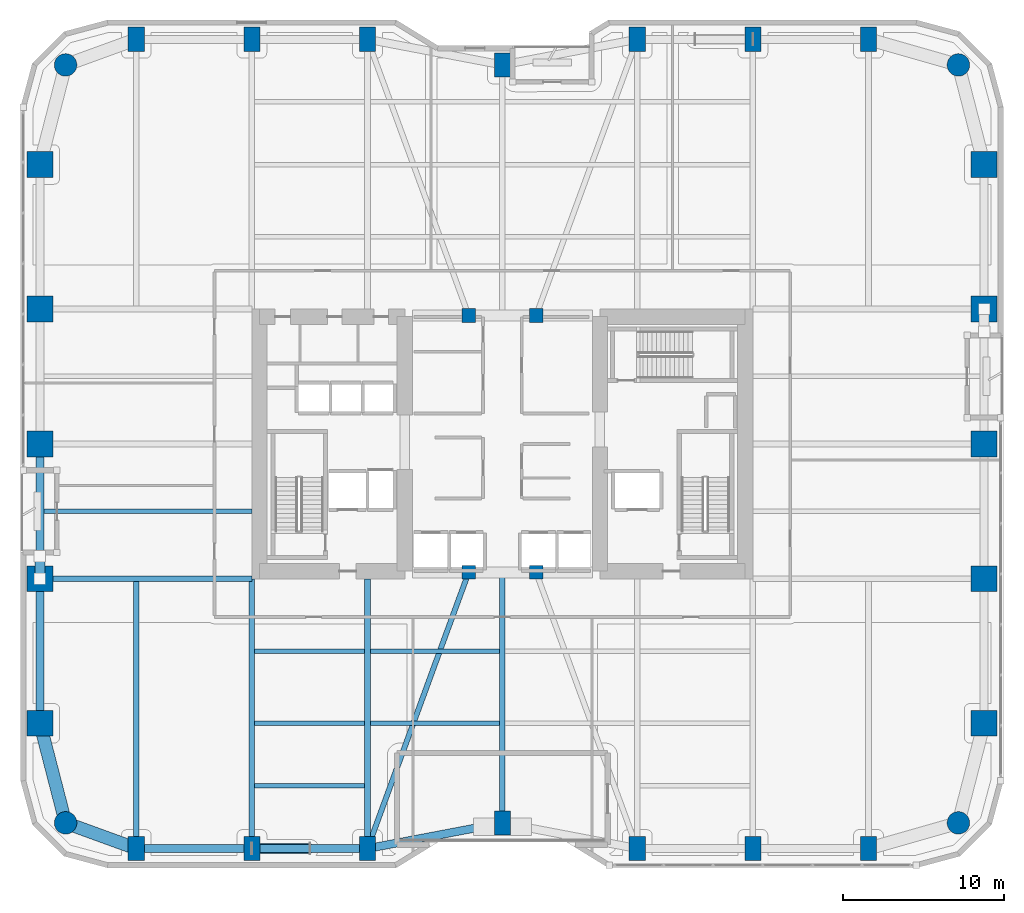
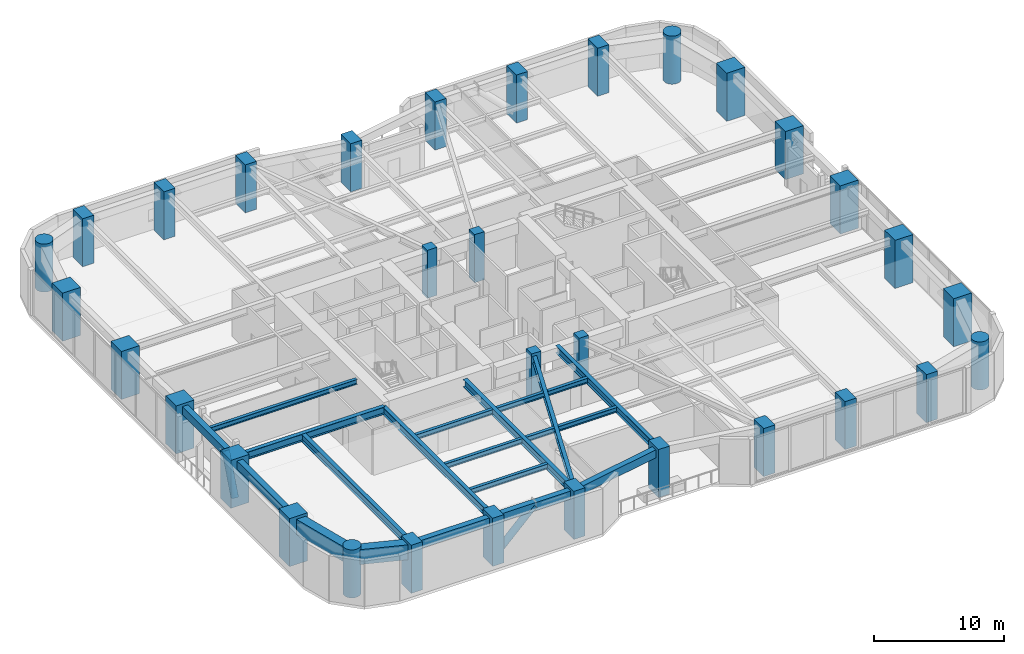
# One storey, part 1 of 25: 32 columns, 19 beams, 2 members.
"""IFC4 building model written with IfcOpenShell, lengths in metres."""

from ifc_helpers import new_model, si_unit, direction, frame, origin, origin_2d, place, context, subcontext, project, spatial, rectangle, circle, hollow_circle, i_section, extrude, material, material_profile, profile_set, type_object, element, save


model = new_model("IFC4")

# Units and contexts
model_context = context("Model", 3, precision=1e-05, world=origin(), true_north=direction((0.0, 1.0)))
body_context = subcontext(model_context, "Body", "Model", "MODEL_VIEW")
ifc_project = project(units=[si_unit("LENGTHUNIT", "METRE"), si_unit("AREAUNIT", "SQUARE_METRE"), si_unit("VOLUMEUNIT", "CUBIC_METRE"), si_unit("PLANEANGLEUNIT", "RADIAN"), si_unit("MASSUNIT", "GRAM", prefix="KILO")], contexts=[model_context])

# Site, building, storey
site_placement = place(None, origin())
site = spatial("IfcSite", under=ifc_project, at=site_placement, CompositionType="ELEMENT")
building_placement = place(site_placement, origin())
building = spatial("IfcBuilding", under=site, at=building_placement, Name="Kiyonajd Concourse Tower", CompositionType="ELEMENT")
storey_placement = place(building_placement, frame((0.0, 0.0, 68.39990234375)))
storey = spatial("IfcBuildingStorey", under=building, at=storey_placement, Name="L18", CompositionType="ELEMENT", Elevation=68.39990234375)

# Columns
ifc_material_1 = material(Name="Concrete C80/95", Category="concrete")
ifc_material_profile_1 = material_profile(ifc_material_1, rectangle(XDim=1.0, YDim=1.5, at=origin_2d()), Name="RC-1500x1000")
ifc_profile_set_1 = profile_set([ifc_material_profile_1], Name="Concrete C80/95")
column_type_1 = type_object("IfcColumnType", Name="CL-BLADE-1500", PredefinedType="COLUMN", material=ifc_profile_set_1)
for number, where, z_axis, x_axis, name in (
    (1, (25.199951171875, 10.800048828125, 0.0), (0.0, 0.0, 1.0), (1.0, 0.0, 0.0), "L18 Perimeter Bundled Tube Column"),
    (2, (25.199951171875, 61.199951171875, 0.0), (0.0, 0.0, 1.0), (1.0, 0.0, 0.0), "L18 Perimeter Bundled Tube Column"),
    (3, (32.39990234375, 10.800048828125, 0.0), (0.0, 0.0, 1.0), (1.0, 0.0, 0.0), "L18 Perimeter Bundled Tube Column"),
    (4, (32.39990234375, 61.199951171875, 0.0), (0.0, 0.0, 1.0), (1.0, 0.0, 0.0), "L18 Perimeter Bundled Tube Column"),
    (5, (39.60009765625, 10.800048828125, 0.0), (0.0, 0.0, 1.0), (1.0, 0.0, 0.0), "L18 Perimeter Bundled Tube Column"),
    (6, (39.60009765625, 61.199951171875, 0.0), (0.0, 0.0, 1.0), (1.0, 0.0, 0.0), "L18 Perimeter Bundled Tube Column"),
    (7, (48.0, 12.39990234375, 0.0), (0.0, 0.0, 1.0), (1.0, 0.0, 0.0), "L18 Perimeter Bundled Tube Column"),
    (8, (48.0, 59.60009765625, 0.0), (0.0, 0.0, 1.0), (1.0, 0.0, 0.0), "L18 Perimeter Bundled Tube Column"),
    (9, (56.39990234375, 10.800048828125, 0.0), (0.0, 0.0, 1.0), (1.0, 0.0, 0.0), "L18 Perimeter Bundled Tube Column"),
    (10, (56.39990234375, 61.199951171875, 0.0), (0.0, 0.0, 1.0), (1.0, 0.0, 0.0), "L18 Perimeter Bundled Tube Column"),
    (11, (63.60009765625, 10.800048828125, 0.0), (0.0, 0.0, 1.0), (1.0, 0.0, 0.0), "L18 Perimeter Bundled Tube Column"),
    (12, (63.60009765625, 61.199951171875, 0.0), (0.0, 0.0, 1.0), (1.0, 0.0, 0.0), "L18 Perimeter Bundled Tube Column"),
    (13, (70.800048828125, 10.800048828125, 0.0), (0.0, 0.0, 1.0), (1.0, 0.0, 0.0), "L18 Perimeter Bundled Tube Column"),
    (14, (70.800048828125, 61.199951171875, 0.0), (0.0, 0.0, 1.0), (1.0, 0.0, 0.0), "L18 Perimeter Bundled Tube Column"),
):
    element("IfcColumn", number, at=place(storey_placement, frame(where, z_axis=z_axis, x_axis=x_axis)), inside=storey, type_object=column_type_1, Name=name, PredefinedType="COLUMN", context=body_context, shape_type="SweptSolid", body=[
        extrude(rectangle(XDim=1.0, YDim=1.5, at=origin_2d()), origin(), (0.0, 0.0, 1.0), 4.5),
    ])
ifc_material_profile_2 = material_profile(ifc_material_1, circle(Radius=0.699951171875, at=origin_2d()), Name="RCC-D1400")
ifc_profile_set_2 = profile_set([ifc_material_profile_2], Name="Concrete C80/95")
column_type_2 = type_object("IfcColumnType", Name="CL-RND-1400", PredefinedType="COLUMN", material=ifc_profile_set_2)
for number, where, z_axis, x_axis, name in (
    (15, (20.800048828125, 12.39990234375, 0.0), (0.0, 0.0, 1.0), (1.0, 0.0, 0.0), "L18 Bundled Tube Corner Column South West"),
    (16, (76.39990234375, 12.39990234375, 0.0), (0.0, 0.0, 1.0), (1.0, 0.0, 0.0), "L18 Bundled Tube Corner Column South East"),
    (17, (76.39990234375, 59.60009765625, 0.0), (0.0, 0.0, 1.0), (1.0, 0.0, 0.0), "L18 Bundled Tube Corner Column North East"),
    (18, (20.800048828125, 59.60009765625, 0.0), (0.0, 0.0, 1.0), (1.0, 0.0, 0.0), "L18 Bundled Tube Corner Column North West"),
):
    element("IfcColumn", number, at=place(storey_placement, frame(where, z_axis=z_axis, x_axis=x_axis)), inside=storey, type_object=column_type_2, Name=name, PredefinedType="COLUMN", context=body_context, shape_type="SweptSolid", body=[
        extrude(circle(Radius=0.699951171875, at=origin_2d()), origin(), (0.0, 0.0, 1.0), 4.5),
    ])
ifc_material_profile_3 = material_profile(ifc_material_1, rectangle(XDim=1.60009765625, YDim=1.60009765625, at=origin_2d()), Name="RC-1600x1600")
ifc_profile_set_3 = profile_set([ifc_material_profile_3], Name="Concrete C80/95")
column_type_3 = type_object("IfcColumnType", Name="CL-TUBE-1600", PredefinedType="COLUMN", material=ifc_profile_set_3)
for number, where, z_axis, x_axis, name in (
    (19, (19.199951171875, 18.60009765625, 0.0), (0.0, 0.0, 1.0), (1.0, 0.0, 0.0), "L18 Perimeter Bundled Tube Column"),
    (20, (78.0, 18.60009765625, 0.0), (0.0, 0.0, 1.0), (1.0, 0.0, 0.0), "L18 Perimeter Bundled Tube Column"),
    (21, (19.199951171875, 27.60009765625, 0.0), (0.0, 0.0, 1.0), (1.0, 0.0, 0.0), "L18 Perimeter Bundled Tube Column"),
    (22, (78.0, 27.60009765625, 0.0), (0.0, 0.0, 1.0), (1.0, 0.0, 0.0), "L18 Perimeter Bundled Tube Column"),
    (23, (19.199951171875, 36.0, 0.0), (0.0, 0.0, 1.0), (1.0, 0.0, 0.0), "L18 Perimeter Bundled Tube Column"),
    (24, (78.0, 36.0, 0.0), (0.0, 0.0, 1.0), (1.0, 0.0, 0.0), "L18 Perimeter Bundled Tube Column"),
    (25, (19.199951171875, 44.39990234375, 0.0), (0.0, 0.0, 1.0), (1.0, 0.0, 0.0), "L18 Perimeter Bundled Tube Column"),
    (26, (78.0, 44.39990234375, 0.0), (0.0, 0.0, 1.0), (1.0, 0.0, 0.0), "L18 Perimeter Bundled Tube Column"),
    (27, (19.199951171875, 53.39990234375, 0.0), (0.0, 0.0, 1.0), (1.0, 0.0, 0.0), "L18 Perimeter Bundled Tube Column"),
    (28, (78.0, 53.39990234375, 0.0), (0.0, 0.0, 1.0), (1.0, 0.0, 0.0), "L18 Perimeter Bundled Tube Column"),
):
    element("IfcColumn", number, at=place(storey_placement, frame(where, z_axis=z_axis, x_axis=x_axis)), inside=storey, type_object=column_type_3, Name=name, PredefinedType="COLUMN", context=body_context, shape_type="SweptSolid", body=[
        extrude(rectangle(XDim=1.60009765625, YDim=1.60009765625, at=origin_2d()), origin(), (0.0, 0.0, 1.0), 4.5),
    ])
ifc_material_2 = material(Name="Concrete C60/75", Category="concrete")
ifc_material_profile_4 = material_profile(ifc_material_2, rectangle(XDim=0.85009765625, YDim=0.85009765625, at=origin_2d()), Name="RC-850x850")
ifc_profile_set_4 = profile_set([ifc_material_profile_4], Name="Concrete C60/75")
column_type_4 = type_object("IfcColumnType", Name="CL-TUBE-850", PredefinedType="COLUMN", material=ifc_profile_set_4)
for number, where, z_axis, x_axis, name in (
    (29, (45.89990234375, 28.0, 0.0), (0.0, 0.0, 1.0), (1.0, 0.0, 0.0), "L18 Core Tie Column South West"),
    (30, (50.10009765625, 28.0, 0.0), (0.0, 0.0, 1.0), (1.0, 0.0, 0.0), "L18 Core Tie Column South East"),
    (31, (45.89990234375, 44.0, 0.0), (0.0, 0.0, 1.0), (1.0, 0.0, 0.0), "L18 Core Tie Column North West"),
    (32, (50.10009765625, 44.0, 0.0), (0.0, 0.0, 1.0), (1.0, 0.0, 0.0), "L18 Core Tie Column North East"),
):
    element("IfcColumn", number, at=place(storey_placement, frame(where, z_axis=z_axis, x_axis=x_axis)), inside=storey, type_object=column_type_4, Name=name, PredefinedType="COLUMN", context=body_context, shape_type="SweptSolid", body=[
        extrude(rectangle(XDim=0.85009765625, YDim=0.85009765625, at=origin_2d()), origin(), (0.0, 0.0, 1.0), 4.5),
    ])

# Beams
ifc_material_3 = material(Name="Steel ASTM A992 Grade 50", Category="steel")
ifc_material_profile_5 = material_profile(ifc_material_3, i_section(OverallWidth=0.280029296875, OverallDepth=0.462890625, WebThickness=0.0107421875, FlangeThickness=0.017333984375, at=origin_2d()), Name="W460X113")
ifc_profile_set_5 = profile_set([ifc_material_profile_5], Name="Steel ASTM A992 Grade 50")
beam_type_1 = type_object("IfcBeamType", Name="BM-JST-460A", PredefinedType="JOIST", material=ifc_profile_set_5)
for number, where, z_axis, x_axis, name in (
    (33, (32.577392578125, 14.699951171875, 4.008544921875), (1.0, 0.0, 0.0), (0.0, 1.0, 0.0), "L18 Secondary Floor Joist"),
    (34, (32.577392578125, 18.60009765625, 4.008544921875), (1.0, 0.0, 0.0), (0.0, 1.0, 0.0), "L18 Secondary Floor Joist"),
):
    element("IfcBeam", number, at=place(storey_placement, frame(where, z_axis=z_axis, x_axis=x_axis)), inside=storey, type_object=beam_type_1, Name=name, PredefinedType="JOIST", context=body_context, shape_type="SweptSolid", body=[
        extrude(i_section(OverallWidth=0.280029296875, OverallDepth=0.462890625, WebThickness=0.0107421875, FlangeThickness=0.017333984375, at=origin_2d()), origin(), (0.0, 0.0, 1.0), 6.84521484375),
    ])
beam_1_placement = place(storey_placement, frame((39.777587890625, 18.60009765625, 4.008544921875), z_axis=(1.0, 0.0, 0.0), x_axis=(0.0, 1.0, 0.0)))
element("IfcBeam", 35, at=beam_1_placement, inside=storey, type_object=beam_type_1, Name="L18 Secondary Floor Joist", PredefinedType="JOIST", context=body_context, shape_type="SweptSolid", body=[
    extrude(i_section(OverallWidth=0.280029296875, OverallDepth=0.462890625, WebThickness=0.0107421875, FlangeThickness=0.017333984375, at=origin_2d()), origin(), (0.0, 0.0, 1.0), 8.044921875),
])
beam_2_placement = place(storey_placement, frame((32.577392578125, 23.10009765625, 4.008544921875), z_axis=(1.0, 0.0, 0.0), x_axis=(0.0, 1.0, 0.0)))
element("IfcBeam", 36, at=beam_2_placement, inside=storey, type_object=beam_type_1, Name="L18 Secondary Floor Joist", PredefinedType="JOIST", context=body_context, shape_type="SweptSolid", body=[
    extrude(i_section(OverallWidth=0.280029296875, OverallDepth=0.462890625, WebThickness=0.0107421875, FlangeThickness=0.017333984375, at=origin_2d()), origin(), (0.0, 0.0, 1.0), 6.84521484375),
])
beam_3_placement = place(storey_placement, frame((39.777587890625, 23.10009765625, 4.008544921875), z_axis=(1.0, 0.0, 0.0), x_axis=(0.0, 1.0, 0.0)))
element("IfcBeam", 37, at=beam_3_placement, inside=storey, type_object=beam_type_1, Name="L18 Secondary Floor Joist", PredefinedType="JOIST", context=body_context, shape_type="SweptSolid", body=[
    extrude(i_section(OverallWidth=0.280029296875, OverallDepth=0.462890625, WebThickness=0.0107421875, FlangeThickness=0.017333984375, at=origin_2d()), origin(), (0.0, 0.0, 1.0), 8.044921875),
])
beam_4_placement = place(storey_placement, frame((19.449951171875, 31.800048828125, 4.008544921875), z_axis=(1.0, 0.0, 0.0), x_axis=(0.0, 1.0, 0.0)))
element("IfcBeam", 38, at=beam_4_placement, inside=storey, type_object=beam_type_1, Name="L18 West Secondary Floor Joist", PredefinedType="JOIST", context=body_context, shape_type="SweptSolid", body=[
    extrude(i_section(OverallWidth=0.280029296875, OverallDepth=0.462890625, WebThickness=0.0107421875, FlangeThickness=0.017333984375, at=origin_2d()), origin(), (0.0, 0.0, 1.0), 12.949951171875),
])
ifc_material_4 = material(Name="Precast concrete C50/60", Category="concrete")
ifc_material_profile_6 = material_profile(ifc_material_4, rectangle(XDim=0.5, YDim=0.75, at=origin_2d()), Name="RCBM-500x750")
ifc_profile_set_6 = profile_set([ifc_material_profile_6], Name="Precast concrete C50/60")
beam_type_2 = type_object("IfcBeamType", Name="BM-SPAN-RC", PredefinedType="SPANDREL", material=ifc_profile_set_6)
beam_5_placement = place(storey_placement, frame((19.199951171875, 27.60009765625, 3.864990234375), z_axis=(0.0, -1.0, 0.0), x_axis=(1.0, 0.0, 0.0)))
element("IfcBeam", 39, at=beam_5_placement, inside=storey, type_object=beam_type_2, Name="L18 Perimeter Bundled Tube Spandrel", PredefinedType="SPANDREL", context=body_context, shape_type="SweptSolid", body=[
    extrude(rectangle(XDim=0.5, YDim=0.75, at=origin_2d()), origin(), (0.0, 0.0, 1.0), 9.0),
])
beam_6_placement = place(storey_placement, frame((25.199951171875, 10.800048828125, 3.864990234375), z_axis=(1.0, 0.0, 0.0), x_axis=(0.0, 1.0, 0.0)))
element("IfcBeam", 40, at=beam_6_placement, inside=storey, type_object=beam_type_2, Name="L18 Perimeter Bundled Tube Spandrel", PredefinedType="SPANDREL", context=body_context, shape_type="SweptSolid", body=[
    extrude(rectangle(XDim=0.5, YDim=0.75, at=origin_2d()), origin(), (0.0, 0.0, 1.0), 7.199951171875),
])
beam_7_placement = place(storey_placement, frame((32.39990234375, 10.800048828125, 3.864990234375), z_axis=(1.0, 0.0, 0.0), x_axis=(0.0, 1.0, 0.0)))
element("IfcBeam", 41, at=beam_7_placement, inside=storey, type_object=beam_type_2, Name="L18 Perimeter Bundled Tube Spandrel", PredefinedType="SPANDREL", context=body_context, shape_type="SweptSolid", body=[
    extrude(rectangle(XDim=0.5, YDim=0.75, at=origin_2d()), origin(), (0.0, 0.0, 1.0), 7.2001953125),
])
beam_8_placement = place(storey_placement, frame((39.60009765625, 10.800048828125, 3.864990234375), z_axis=(0.982341315253, 0.187097675953, 0.0), x_axis=(-0.187097675953, 0.982341315253, 0.0)))
element("IfcBeam", 42, at=beam_8_placement, inside=storey, type_object=beam_type_2, Name="L18 Perimeter Bundled Tube Spandrel", PredefinedType="SPANDREL", context=body_context, shape_type="SweptSolid", body=[
    extrude(rectangle(XDim=0.5, YDim=0.75, at=origin_2d()), origin(), (0.0, 0.0, 1.0), 8.55078125),
])
beam_9_placement = place(storey_placement, frame((19.199951171875, 36.0, 3.864990234375), z_axis=(0.0, -1.0, 0.0), x_axis=(1.0, 0.0, 0.0)))
element("IfcBeam", 43, at=beam_9_placement, inside=storey, type_object=beam_type_2, Name="L18 Perimeter Bundled Tube Spandrel", PredefinedType="SPANDREL", context=body_context, shape_type="SweptSolid", body=[
    extrude(rectangle(XDim=0.5, YDim=0.75, at=origin_2d()), origin(), (0.0, 0.0, 1.0), 8.39990234375),
])
ifc_material_profile_7 = material_profile(ifc_material_3, i_section(OverallWidth=0.326904296875, OverallDepth=0.6220703125, WebThickness=0.015380859375, FlangeThickness=0.0244140625, at=origin_2d()), Name="W610X195")
ifc_profile_set_7 = profile_set([ifc_material_profile_7], Name="Steel ASTM A992 Grade 50")
beam_type_3 = type_object("IfcBeamType", Name="BM-TWR-610A", PredefinedType="BEAM", material=ifc_profile_set_7)
beam_10_placement = place(storey_placement, frame((39.60009765625, 10.800048828125, 3.92919921875), z_axis=(0.343925269715, 0.938997022813, 0.0), x_axis=(-0.938997022813, 0.343925269715, 0.0)))
element("IfcBeam", 44, at=beam_10_placement, inside=storey, type_object=beam_type_3, Name="L18 Core Tie Girder", PredefinedType="BEAM", context=body_context, shape_type="SweptSolid", body=[
    extrude(i_section(OverallWidth=0.326904296875, OverallDepth=0.6220703125, WebThickness=0.015380859375, FlangeThickness=0.0244140625, at=origin_2d()), origin(), (0.0, 0.0, 1.0), 18.3173828125),
])
ifc_material_profile_8 = material_profile(ifc_material_3, i_section(OverallWidth=0.35498046875, OverallDepth=0.695068359375, WebThickness=0.015380859375, FlangeThickness=0.02490234375, at=origin_2d()), Name="W690X217")
ifc_profile_set_8 = profile_set([ifc_material_profile_8], Name="Steel ASTM A992 Grade 50")
beam_type_4 = type_object("IfcBeamType", Name="BM-TWR-690", PredefinedType="BEAM", material=ifc_profile_set_8)
for number, where, z_axis, x_axis, name in (
    (45, (25.199951171875, 10.800048828125, 3.892578125), (0.0, 1.0, 0.0), (-1.0, 0.0, 0.0), "L18 South Lease Girder"),
    (46, (32.39990234375, 10.800048828125, 3.892578125), (0.0, 1.0, 0.0), (-1.0, 0.0, 0.0), "L18 South Lease Girder"),
    (47, (39.60009765625, 10.800048828125, 3.892578125), (0.0, 1.0, 0.0), (-1.0, 0.0, 0.0), "L18 South Lease Girder"),
):
    element("IfcBeam", number, at=place(storey_placement, frame(where, z_axis=z_axis, x_axis=x_axis)), inside=storey, type_object=beam_type_4, Name=name, PredefinedType="BEAM", context=body_context, shape_type="SweptSolid", body=[
        extrude(i_section(OverallWidth=0.35498046875, OverallDepth=0.695068359375, WebThickness=0.015380859375, FlangeThickness=0.02490234375, at=origin_2d()), origin(), (0.0, 0.0, 1.0), 16.800048828125),
    ])
beam_11_placement = place(storey_placement, frame((48.0, 12.39990234375, 3.892578125), z_axis=(0.0, 1.0, 0.0), x_axis=(-1.0, 0.0, 0.0)))
element("IfcBeam", 48, at=beam_11_placement, inside=storey, type_object=beam_type_4, Name="L18 South Ribbon Girder", PredefinedType="BEAM", context=body_context, shape_type="SweptSolid", body=[
    extrude(i_section(OverallWidth=0.35498046875, OverallDepth=0.695068359375, WebThickness=0.015380859375, FlangeThickness=0.02490234375, at=origin_2d()), origin(), (0.0, 0.0, 1.0), 15.60009765625),
])
beam_12_placement = place(storey_placement, frame((19.199951171875, 27.60009765625, 3.892578125), z_axis=(1.0, 0.0, 0.0), x_axis=(0.0, 1.0, 0.0)))
element("IfcBeam", 49, at=beam_12_placement, inside=storey, type_object=beam_type_4, Name="L18 West Lease Girder", PredefinedType="BEAM", context=body_context, shape_type="SweptSolid", body=[
    extrude(i_section(OverallWidth=0.35498046875, OverallDepth=0.695068359375, WebThickness=0.015380859375, FlangeThickness=0.02490234375, at=origin_2d()), origin(), (0.0, 0.0, 1.0), 13.199951171875),
])
ifc_material_profile_9 = material_profile(ifc_material_2, rectangle(XDim=0.800048828125, YDim=1.39990234375, at=origin_2d()), Name="RCBM-800x1400")
ifc_profile_set_9 = profile_set([ifc_material_profile_9], Name="Concrete C60/75")
beam_type_5 = type_object("IfcBeamType", Name="BM-XFER-RC", PredefinedType="BEAM", material=ifc_profile_set_9)
beam_13_placement = place(storey_placement, frame((19.199951171875, 18.60009765625, 3.5400390625), z_axis=(0.249884937687, -0.968275538221, 0.0), x_axis=(0.968275538221, 0.249884937687, 0.0)))
element("IfcBeam", 50, at=beam_13_placement, inside=storey, type_object=beam_type_5, Name="L18 Perimeter Bundled Tube Spandrel", PredefinedType="BEAM", context=body_context, shape_type="SweptSolid", body=[
    extrude(rectangle(XDim=0.800048828125, YDim=1.39990234375, at=origin_2d()), origin(), (0.0, 0.0, 1.0), 6.4033203125),
])
beam_14_placement = place(storey_placement, frame((20.800048828125, 12.39990234375, 3.5400390625), z_axis=(0.939801036019, -0.341722127901, 0.0), x_axis=(0.341722127901, 0.939801036019, 0.0)))
element("IfcBeam", 51, at=beam_14_placement, inside=storey, type_object=beam_type_5, Name="L18 Perimeter Bundled Tube Spandrel", PredefinedType="BEAM", context=body_context, shape_type="SweptSolid", body=[
    extrude(rectangle(XDim=0.800048828125, YDim=1.39990234375, at=origin_2d()), origin(), (0.0, 0.0, 1.0), 4.681640625),
])

# Members
ifc_material_5 = material(Name="Steel ASTM A572 Grade 50", Category="steel")
ifc_material_profile_10 = material_profile(ifc_material_5, hollow_circle(Radius=0.304931640625, WallThickness=0.02490234375, at=origin_2d()), Name="CHS-610x25")
ifc_profile_set_10 = profile_set([ifc_material_profile_10], Name="Steel ASTM A572 Grade 50")
member_type = type_object("IfcMemberType", Name="MB-PB-LOW", PredefinedType="BRACE", material=ifc_profile_set_10)
member_1_placement = place(storey_placement, frame((32.39990234375, 10.800048828125, 0.300048828125), z_axis=(0.708090488697, 0.0, 0.706121703261), x_axis=(0.0, 1.0, 0.0)))
element("IfcMember", 52, at=member_1_placement, inside=storey, type_object=member_type, Name="L18 Lower Zone Welded Tube Brace PBS", PredefinedType="BRACE", context=body_context, shape_type="SweptSolid", body=[
    extrude(hollow_circle(Radius=0.304931640625, WallThickness=0.02490234375, at=origin_2d()), origin(), (0.0, 0.0, 1.0), 5.084228515625),
])
member_2_placement = place(storey_placement, frame((19.199951171875, 27.60009765625, 0.300048828125), z_axis=(0.0, 0.363293032355, 0.931674928633), x_axis=(-1.0, 0.0, 0.0)))
element("IfcMember", 53, at=member_2_placement, inside=storey, type_object=member_type, Name="L18 Lower Zone Welded Tube Brace PBW", PredefinedType="BRACE", context=body_context, shape_type="SweptSolid", body=[
    extrude(hollow_circle(Radius=0.304931640625, WallThickness=0.02490234375, at=origin_2d()), origin(), (0.0, 0.0, 1.0), 3.853271484375),
])

save(model, "model.ifc")
